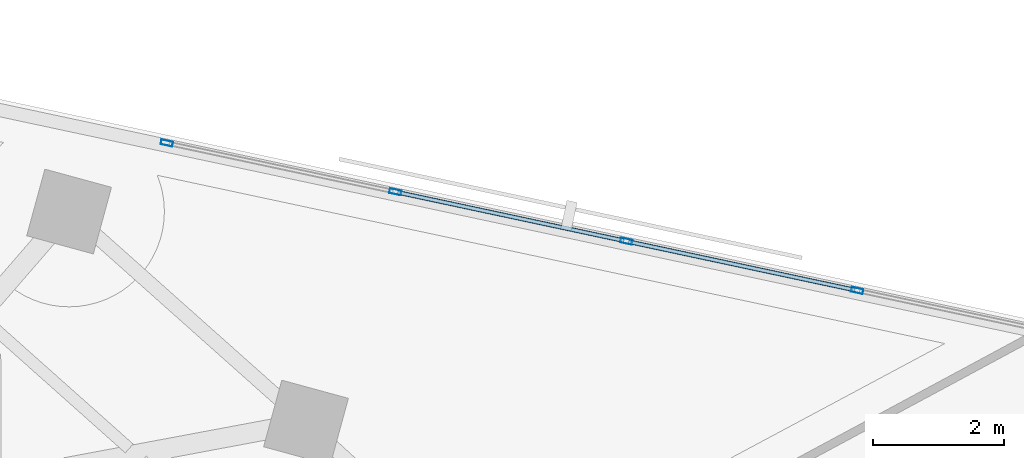
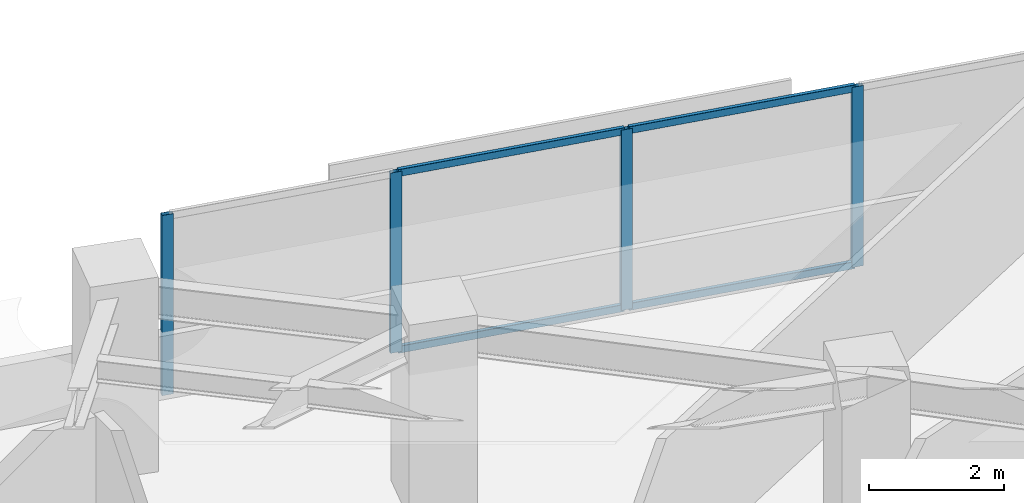
# One storey, part 4 of 14: 8 members, 1 element without a shape of its own.
"""IFC4 building model written with IfcOpenShell, lengths in metres."""

import ifcopenshell
import ifcopenshell.guid

model = None  # the IFC model being written
_history = None  # IfcOwnerHistory: only IFC2X3 demands one
_inside = {}  # id of a spatial element -> (the spatial element, [elements in it])
_under = {}  # id of a project, library or spatial element -> (it, [spatial elements below it])
_declared = {}  # id of a project -> (the project, [libraries it declares])
_typed = {}  # id of a type object -> (the type object, [elements of that type])
_made_of = {}  # id of a material, layer set ... -> (it, [elements and type objects made of it])


def new_model(schema):
    """Start an empty IFC model of exactly this schema.

    Asked for "IFC4X3", IfcOpenShell would pick the latest addendum, in which some entities
    have other attributes; the version numbers below select the first issue.
    IFC2X3 requires an IfcOwnerHistory on every rooted entity: one is made here for all.
    """
    global model, _history
    if schema == "IFC4X3":
        model = ifcopenshell.file(schema_version=(4, 3, 0, 0))
    else:
        model = ifcopenshell.file(schema=schema)
    _inside.clear()
    _under.clear()
    _declared.clear()
    _typed.clear()
    _made_of.clear()
    _history = None
    if model.schema == "IFC2X3":
        org = make("IfcOrganization", Name="unknown")
        user = make(
            "IfcPersonAndOrganization",
            ThePerson=make("IfcPerson", FamilyName="unknown"),
            TheOrganization=org,
        )
        app = make(
            "IfcApplication",
            ApplicationDeveloper=org,
            Version="unknown",
            ApplicationFullName="unknown",
            ApplicationIdentifier="unknown",
        )
        _history = make(
            "IfcOwnerHistory",
            OwningUser=user,
            OwningApplication=app,
            ChangeAction="ADDED",
            CreationDate=0,
        )
    return model


def make(cls, **values):
    """One entity of the class cls with the attributes given. An attribute that is None is left unset."""
    return model.create_entity(
        cls, **{name: value for name, value in values.items() if value is not None}
    )


def rooted(cls, **values):
    """An entity with a GlobalId (a new one), such as an element, a storey or a relation."""
    return make(cls, GlobalId=ifcopenshell.guid.new(), OwnerHistory=_history, **values)


def si_unit(unit_type, name, prefix=None):
    """IfcSIUnit, for example si_unit("LENGTHUNIT", "METRE", prefix="MILLI")."""
    return make("IfcSIUnit", UnitType=unit_type, Prefix=prefix, Name=name)


def assignment(units):
    """IfcUnitAssignment: the units of a project."""
    return None if units is None else make("IfcUnitAssignment", Units=units)


def point(xyz):
    """IfcCartesianPoint."""
    return None if xyz is None else make("IfcCartesianPoint", Coordinates=xyz)


def direction(xyz):
    """IfcDirection."""
    return None if xyz is None else make("IfcDirection", DirectionRatios=xyz)


def frame(location, z_axis=None, x_axis=None):
    """IfcAxis2Placement3D, a coordinate frame: its origin and axes. An axis left out is left unset."""
    return make(
        "IfcAxis2Placement3D",
        Location=point(location),
        Axis=direction(z_axis),
        RefDirection=direction(x_axis),
    )


def frame_2d(location, x_axis=None):
    """IfcAxis2Placement2D, a coordinate frame in the plane: its origin and x axis."""
    return make(
        "IfcAxis2Placement2D", Location=point(location), RefDirection=direction(x_axis)
    )


def origin():
    """The frame at (0, 0, 0) with its axes left unset."""
    return frame((0.0, 0.0, 0.0))


def origin_2d():
    """The frame at (0, 0) in the plane with its x axis left unset."""
    return frame_2d((0.0, 0.0))


def place(relative_to, where):
    """IfcLocalPlacement: puts the frame where relative to a parent placement (None: the world)."""
    return make(
        "IfcLocalPlacement", PlacementRelTo=relative_to, RelativePlacement=where
    )


def context(
    kind, dimensions, precision=None, world=None, true_north=None, identifier=None
):
    """IfcGeometricRepresentationContext, for example the 3D "Model" context."""
    return make(
        "IfcGeometricRepresentationContext",
        ContextIdentifier=identifier,
        ContextType=kind,
        CoordinateSpaceDimension=dimensions,
        Precision=precision,
        WorldCoordinateSystem=world,
        TrueNorth=true_north,
    )


def subcontext(parent, identifier, kind, view, scale=None):
    """IfcGeometricRepresentationSubContext, for example "Body" below "Model"."""
    return make(
        "IfcGeometricRepresentationSubContext",
        ContextIdentifier=identifier,
        ContextType=kind,
        ParentContext=parent,
        TargetScale=scale,
        TargetView=view,
    )


def project(units=None, contexts=None):
    """IfcProject with its units and contexts."""
    return rooted(
        "IfcProject",
        Name="project",
        RepresentationContexts=contexts,
        UnitsInContext=assignment(units),
    )


def spatial(cls, under=None, at=None, **own):
    """A site, building, storey or space (cls), placed at a placement, below another one or the project."""
    s = rooted(cls, ObjectPlacement=at, **own)
    if under is not None:
        _under.setdefault(under.id(), (under, []))[1].append(s)
    return s


def profile(cls, at=None, kind="AREA", **sizes):
    """A parametric profile (cls). Its sizes go by their IFC names, for example OverallWidth=200.0."""
    return make(cls, ProfileType=kind, Position=at, **sizes)


def hollow_rectangle(**sizes):
    """IfcRectangleHollowProfileDef."""
    return profile("IfcRectangleHollowProfileDef", **sizes)


def extrude(swept, where, along, depth):
    """IfcExtrudedAreaSolid: the profile swept, set in the frame where, extruded along a direction by depth."""
    return make(
        "IfcExtrudedAreaSolid",
        SweptArea=swept,
        Position=where,
        ExtrudedDirection=direction(along),
        Depth=depth,
    )


def shape(context_of_items, identifier, shape_type, items):
    """IfcShapeRepresentation: the items that make up one representation, for example the "Body"."""
    return make(
        "IfcShapeRepresentation",
        ContextOfItems=context_of_items,
        RepresentationIdentifier=identifier,
        RepresentationType=shape_type,
        Items=items,
    )


def material(Name=None, Category=None):
    """IfcMaterial."""
    return make("IfcMaterial", Name=Name, Category=Category)


def material_profile(
    of_material, cross_section, Name=None, Category=None, Priority=None
):
    """IfcMaterialProfile: a cross section and its material."""
    return make(
        "IfcMaterialProfile",
        Name=Name,
        Material=of_material,
        Profile=cross_section,
        Priority=Priority,
        Category=Category,
    )


def profile_set(profiles, Name=None, composite=None):
    """IfcMaterialProfileSet."""
    return make(
        "IfcMaterialProfileSet",
        Name=Name,
        MaterialProfiles=profiles,
        CompositeProfile=composite,
    )


def made_of(thing, what):
    """Note that an element or type object is made of a material, layer set ...; save() writes the relation."""
    if what is not None:
        _made_of.setdefault(what.id(), (what, []))[1].append(thing)
    return thing


def type_object(cls, material=None, **own):
    """A type object (cls), such as IfcWallType, which elements share."""
    return made_of(rooted(cls, **own), material)


def element(
    cls,
    number,
    at=None,
    inside=None,
    cuts=None,
    type_object=None,
    material=None,
    context=None,
    identifier="Body",
    shape_type=None,
    held_by="IfcProductDefinitionShape",
    body=None,
    shapes=None,
    **own,
):
    """One element of the class cls, such as IfcWall. Its Tag is "e" and its number.

    at: its placement. inside: the storey or other place that contains it. cuts: it is an
    opening in that element (IfcRelVoidsElement). A single representation is given by context,
    identifier, shape_type and body (its items); several are given by shapes. held_by: the class
    of the entity that holds the representations. save() writes the other relations.
    """
    e = rooted(cls, Tag="e%d" % number, ObjectPlacement=at, **own)
    if body is not None:
        shapes = [shape(context, identifier, shape_type, body)]
    if shapes is not None:
        e.Representation = make(held_by, Representations=shapes)
    if inside is not None:
        _inside.setdefault(inside.id(), (inside, []))[1].append(e)
    if cuts is not None:
        rooted(
            "IfcRelVoidsElement", RelatingBuildingElement=cuts, RelatedOpeningElement=e
        )
    if type_object is not None:
        _typed.setdefault(type_object.id(), (type_object, []))[1].append(e)
    return made_of(e, material)


def aggregate(whole, parts):
    """IfcRelAggregates: a whole, such as a stair, and the parts it consists of."""
    return rooted("IfcRelAggregates", RelatingObject=whole, RelatedObjects=parts)


def save(model, path):
    """Write the relations noted so far, then the file.

    IfcRelAggregates (storeys below a building ...), IfcRelContainedInSpatialStructure (elements
    in a storey), IfcRelDefinesByType, IfcRelAssociatesMaterial and IfcRelDeclares: one each for
    every whole, place, type object, material and project.
    """
    for whole, parts in _under.values():
        aggregate(whole, parts)
    for where, things in _inside.values():
        rooted(
            "IfcRelContainedInSpatialStructure",
            RelatedElements=things,
            RelatingStructure=where,
        )
    for kind, things in _typed.values():
        rooted("IfcRelDefinesByType", RelatedObjects=things, RelatingType=kind)
    for what, things in _made_of.values():
        rooted("IfcRelAssociatesMaterial", RelatedObjects=things, RelatingMaterial=what)
    for by, libraries in _declared.values():
        rooted("IfcRelDeclares", RelatingContext=by, RelatedDefinitions=libraries)
    model.write(path)


model = new_model("IFC4")

# Units and contexts
model_context = context("Model", 3, precision=1e-05, world=origin(), true_north=direction((0.0, 1.0)))
body_context = subcontext(model_context, "Body", "Model", "MODEL_VIEW")
ifc_project = project(units=[si_unit("LENGTHUNIT", "METRE"), si_unit("AREAUNIT", "SQUARE_METRE"), si_unit("VOLUMEUNIT", "CUBIC_METRE"), si_unit("PLANEANGLEUNIT", "RADIAN"), si_unit("MASSUNIT", "GRAM", prefix="KILO")], contexts=[model_context])

# Site, building, storey
site_placement = place(None, origin())
site = spatial("IfcSite", under=ifc_project, at=site_placement, CompositionType="ELEMENT")
building_placement = place(site_placement, origin())
building = spatial("IfcBuilding", under=site, at=building_placement, Name="Narakoshi Arena Tower", CompositionType="ELEMENT")
storey_placement = place(building_placement, frame((0.0, 0.0, 218.5)))
storey = spatial("IfcBuildingStorey", under=building, at=storey_placement, Name="L59", CompositionType="ELEMENT", Elevation=218.5)

# Curtain wall, members
ifc_material = material(Name="Anodised bronze aluminium 6063-T6", Category="aluminium")
curtain_wall_type = type_object("IfcCurtainWallType", Name="CW-HYP-MID", PredefinedType="NOTDEFINED", material=ifc_material)
curtain_wall_placement = place(storey_placement, origin())
curtain_wall = element("IfcCurtainWall", 1, at=curtain_wall_placement, inside=storey, type_object=curtain_wall_type, Name="L59 Folded Hypotenuse Curtain Wall 1-1", PredefinedType="NOTDEFINED")
ifc_material_profile_1 = material_profile(ifc_material, hollow_rectangle(XDim=0.074951171875, YDim=0.179931640625, WallThickness=0.00390625, OuterFilletRadius=0.0048828125, at=origin_2d()), Name="MUL180x75x4")
ifc_profile_set_1 = profile_set([ifc_material_profile_1], Name="Anodised bronze aluminium 6063-T6")
member_type_1 = type_object("IfcMemberType", Name="MEM-MUL-180", PredefinedType="MULLION", material=ifc_profile_set_1)
member_1_placement = place(storey_placement, frame((101.553955078125, 59.932861328125, 0.0), z_axis=(0.0, 0.0, 1.0), x_axis=(-0.208899163248, -0.977937185914, 0.0)))
member_1 = element("IfcMember", 2, at=member_1_placement, type_object=member_type_1, Name="CW-02 mullion 5", PredefinedType="MULLION", context=body_context, shape_type="SweptSolid", body=[
    extrude(hollow_rectangle(XDim=0.074951171875, YDim=0.179931640625, WallThickness=0.00390625, OuterFilletRadius=0.0048828125, at=origin_2d()), origin(), (0.0, 0.0, 1.0), 3.260009765625),
])
member_2_placement = place(storey_placement, frame((98.0400390625, 60.68359375, 0.0), z_axis=(0.0, 0.0, 1.0), x_axis=(-0.208899163248, -0.977937185914, 0.0)))
member_2 = element("IfcMember", 3, at=member_2_placement, type_object=member_type_1, Name="CW-02 mullion 6", PredefinedType="MULLION", context=body_context, shape_type="SweptSolid", body=[
    extrude(hollow_rectangle(XDim=0.074951171875, YDim=0.179931640625, WallThickness=0.00390625, OuterFilletRadius=0.0048828125, at=origin_2d()), origin(), (0.0, 0.0, 1.0), 3.260009765625),
])
member_3_placement = place(storey_placement, frame((94.52587890625, 61.434326171875, 0.0), z_axis=(0.0, 0.0, 1.0), x_axis=(-0.208899163248, -0.977937185914, 0.0)))
member_3 = element("IfcMember", 4, at=member_3_placement, type_object=member_type_1, Name="CW-02 mullion 7", PredefinedType="MULLION", context=body_context, shape_type="SweptSolid", body=[
    extrude(hollow_rectangle(XDim=0.074951171875, YDim=0.179931640625, WallThickness=0.00390625, OuterFilletRadius=0.0048828125, at=origin_2d()), origin(), (0.0, 0.0, 1.0), 3.260009765625),
])
member_4_placement = place(storey_placement, frame((91.04833984375, 62.177001953125, 0.0), z_axis=(0.0, 0.0, 1.0), x_axis=(-0.208899163248, -0.977937185914, 0.0)))
member_4 = element("IfcMember", 5, at=member_4_placement, type_object=member_type_1, Name="CW-02 mullion 8", PredefinedType="MULLION", context=body_context, shape_type="SweptSolid", body=[
    extrude(hollow_rectangle(XDim=0.074951171875, YDim=0.179931640625, WallThickness=0.00390625, OuterFilletRadius=0.0048828125, at=origin_2d()), origin(), (0.0, 0.0, 1.0), 3.260009765625),
])
ifc_material_profile_2 = material_profile(ifc_material, hollow_rectangle(XDim=0.06494140625, YDim=0.1298828125, WallThickness=0.00390625, OuterFilletRadius=0.0048828125, at=origin_2d()), Name="TRN130x65x4")
ifc_profile_set_2 = profile_set([ifc_material_profile_2], Name="Anodised bronze aluminium 6063-T6")
member_type_2 = type_object("IfcMemberType", Name="MEM-TRN-130", PredefinedType="USERDEFINED", material=ifc_profile_set_2)
member_5_placement = place(storey_placement, frame((101.517333984375, 59.940673828125, 0.032470703125), z_axis=(-0.977929169638, 0.208936686992, 0.0), x_axis=(-0.208936686992, -0.977929169638, 0.0)))
member_5 = element("IfcMember", 6, at=member_5_placement, type_object=member_type_2, Name="CW-02 transom 5.1", ObjectType="TRANSOM", PredefinedType="USERDEFINED", context=body_context, shape_type="SweptSolid", body=[
    extrude(hollow_rectangle(XDim=0.06494140625, YDim=0.1298828125, WallThickness=0.00390625, OuterFilletRadius=0.0048828125, at=origin_2d()), origin(), (0.0, 0.0, 1.0), 3.518310546875),
])
member_6_placement = place(storey_placement, frame((101.517333984375, 59.940673828125, 3.2275390625), z_axis=(-0.977929169638, 0.208936686992, 0.0), x_axis=(-0.208936686992, -0.977929169638, 0.0)))
member_6 = element("IfcMember", 7, at=member_6_placement, type_object=member_type_2, Name="CW-02 transom 5.2", ObjectType="TRANSOM", PredefinedType="USERDEFINED", context=body_context, shape_type="SweptSolid", body=[
    extrude(hollow_rectangle(XDim=0.06494140625, YDim=0.1298828125, WallThickness=0.00390625, OuterFilletRadius=0.0048828125, at=origin_2d()), origin(), (0.0, 0.0, 1.0), 3.518310546875),
])
member_7_placement = place(storey_placement, frame((98.003173828125, 60.69140625, 0.032470703125), z_axis=(-0.977929169638, 0.208936686992, 0.0), x_axis=(-0.208936686992, -0.977929169638, 0.0)))
member_7 = element("IfcMember", 8, at=member_7_placement, type_object=member_type_2, Name="CW-02 transom 6.1", ObjectType="TRANSOM", PredefinedType="USERDEFINED", context=body_context, shape_type="SweptSolid", body=[
    extrude(hollow_rectangle(XDim=0.06494140625, YDim=0.1298828125, WallThickness=0.00390625, OuterFilletRadius=0.0048828125, at=origin_2d()), origin(), (0.0, 0.0, 1.0), 3.518310546875),
])
member_8_placement = place(storey_placement, frame((98.003173828125, 60.69140625, 3.2275390625), z_axis=(-0.977929169638, 0.208936686992, 0.0), x_axis=(-0.208936686992, -0.977929169638, 0.0)))
member_8 = element("IfcMember", 9, at=member_8_placement, type_object=member_type_2, Name="CW-02 transom 6.2", ObjectType="TRANSOM", PredefinedType="USERDEFINED", context=body_context, shape_type="SweptSolid", body=[
    extrude(hollow_rectangle(XDim=0.06494140625, YDim=0.1298828125, WallThickness=0.00390625, OuterFilletRadius=0.0048828125, at=origin_2d()), origin(), (0.0, 0.0, 1.0), 3.518310546875),
])
aggregate(curtain_wall, [member_1, member_2, member_3, member_4, member_5, member_6, member_7, member_8])

save(model, "model.ifc")
